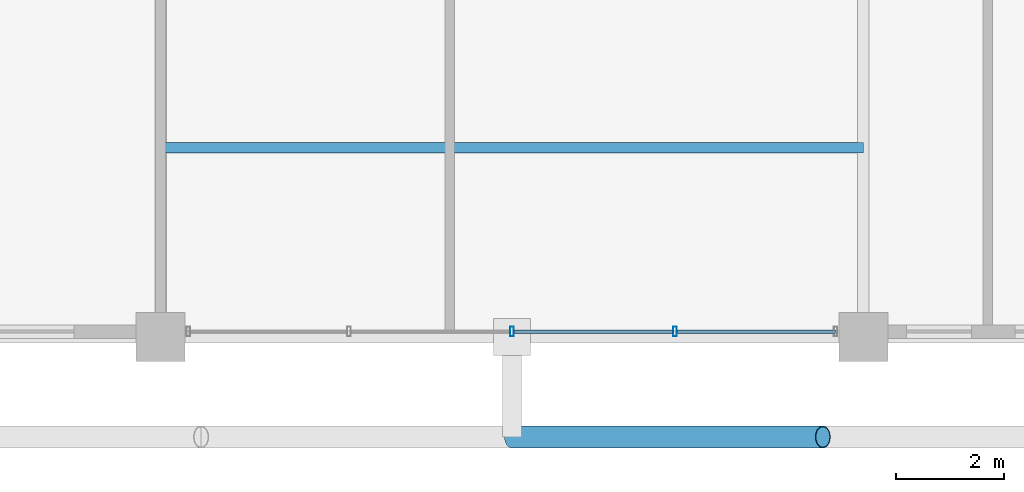
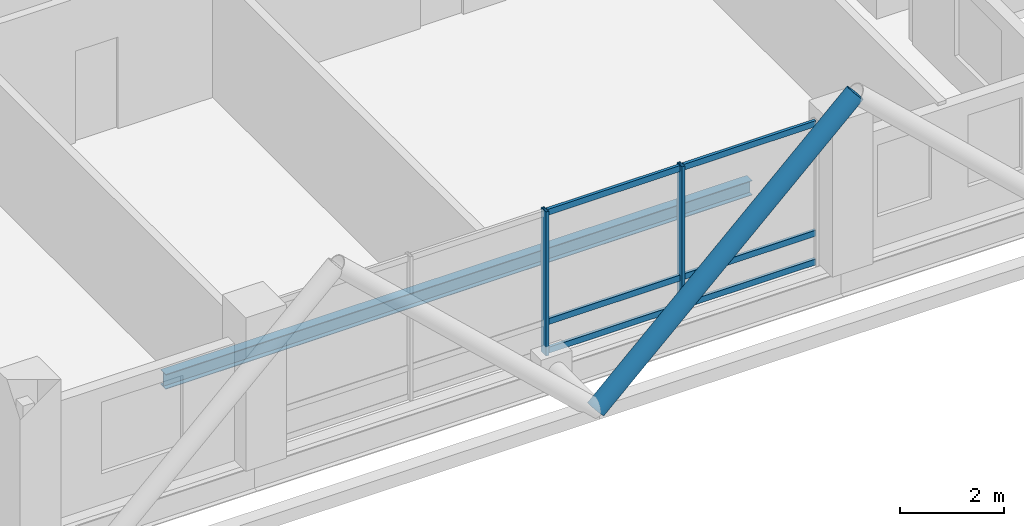
# One storey, part 5 of 24: 9 members, 1 beam, 1 element without a shape of its own.
"""IFC4 building model written with IfcOpenShell, lengths in metres."""

from ifc_helpers import new_model, si_unit, direction, frame, origin, origin_2d, place, context, subcontext, project, spatial, hollow_rectangle, hollow_circle, i_section, extrude, material, layer, layer_set, material_profile, profile_set, type_object, element, aggregate, save


model = new_model("IFC4")

# Units and contexts
model_context = context("Model", 3, precision=1e-05, world=origin(), true_north=direction((0.0, 1.0)))
body_context = subcontext(model_context, "Body", "Model", "MODEL_VIEW")
ifc_project = project(units=[si_unit("LENGTHUNIT", "METRE"), si_unit("AREAUNIT", "SQUARE_METRE"), si_unit("VOLUMEUNIT", "CUBIC_METRE"), si_unit("PLANEANGLEUNIT", "RADIAN"), si_unit("MASSUNIT", "GRAM", prefix="KILO")], contexts=[model_context])

# Site, building, storey
site_placement = place(None, origin())
site = spatial("IfcSite", under=ifc_project, at=site_placement, CompositionType="ELEMENT")
building_placement = place(site_placement, origin())
building = spatial("IfcBuilding", under=site, at=building_placement, Name="Barlavira Tower and Art Museum", CompositionType="ELEMENT")
storey_placement = place(building_placement, frame((0.0, 0.0, 294.300048828125)))
storey = spatial("IfcBuildingStorey", under=building, at=storey_placement, Name="L77", CompositionType="ELEMENT", Elevation=294.300048828125)

# Curtain wall, members
ifc_material_1 = material(Name="Low-iron coastal laminated glass", Category="glass")
ifc_layer = layer(ifc_material_1, 0.2099609375, Name="Low-iron coastal laminated glass")
ifc_layer_set = layer_set([ifc_layer], Name="Low-iron coastal laminated glass")
curtain_wall_type = type_object("IfcCurtainWallType", Name="Pale-Metal Unitised Curtain Wall Zone 4", PredefinedType="NOTDEFINED", material=ifc_layer_set)
curtain_wall_placement = place(storey_placement, origin())
curtain_wall = element("IfcCurtainWall", 1, at=curtain_wall_placement, inside=storey, type_object=curtain_wall_type, Name="L77 Curtain Wall CW4-L77-S-B2", PredefinedType="NOTDEFINED")
ifc_material_2 = material(Name="Pale anodised aluminium", Category="aluminium")
ifc_material_profile_1 = material_profile(ifc_material_2, hollow_rectangle(XDim=0.06494140625, YDim=0.179931640625, WallThickness=0.00390625, at=origin_2d()), Name="ALU-MULL 65x180x4")
ifc_profile_set_1 = profile_set([ifc_material_profile_1], Name="Pale anodised aluminium")
member_type_1 = type_object("IfcMemberType", Name="Curtain Wall Pale-Metal Mullion 65x180", PredefinedType="MULLION", material=ifc_profile_set_1)
member_1_placement = place(storey_placement, frame((0.0, -19.89990234375, 0.0), z_axis=(0.0, 0.0, 1.0), x_axis=(1.0, 0.0, 0.0)))
member_1 = element("IfcMember", 2, at=member_1_placement, type_object=member_type_1, Name="CW4-L77-S-B2 Mullion 2", PredefinedType="MULLION", context=body_context, shape_type="SweptSolid", body=[
    extrude(hollow_rectangle(XDim=0.06494140625, YDim=0.179931640625, WallThickness=0.00390625, at=origin_2d()), origin(), (0.0, 0.0, 1.0), 3.3798828125),
])
member_2_placement = place(storey_placement, frame((3.014892578125, -19.89990234375, 0.0), z_axis=(0.0, 0.0, 1.0), x_axis=(1.0, 0.0, 0.0)))
member_2 = element("IfcMember", 3, at=member_2_placement, type_object=member_type_1, Name="CW4-L77-S-B2 Mullion 3", PredefinedType="MULLION", context=body_context, shape_type="SweptSolid", body=[
    extrude(hollow_rectangle(XDim=0.06494140625, YDim=0.179931640625, WallThickness=0.00390625, at=origin_2d()), origin(), (0.0, 0.0, 1.0), 3.3798828125),
])
ifc_material_profile_2 = material_profile(ifc_material_2, hollow_rectangle(XDim=0.06494140625, YDim=0.139892578125, WallThickness=0.00390625, at=origin_2d()), Name="ALU-TRAN 65x140x4")
ifc_profile_set_2 = profile_set([ifc_material_profile_2], Name="Pale anodised aluminium")
member_type_2 = type_object("IfcMemberType", Name="Curtain Wall Pale-Metal Transom 65x140", PredefinedType="USERDEFINED", material=ifc_profile_set_2)
member_3_placement = place(storey_placement, frame((0.044921875, -19.89990234375, 0.070068359375), z_axis=(1.0, 0.0, 0.0), x_axis=(0.0, 1.0, 0.0)))
member_3 = element("IfcMember", 4, at=member_3_placement, type_object=member_type_2, Name="CW4-L77-S-B2 Transom 2.1", ObjectType="TRANSOM", PredefinedType="USERDEFINED", context=body_context, shape_type="SweptSolid", body=[
    extrude(hollow_rectangle(XDim=0.06494140625, YDim=0.139892578125, WallThickness=0.00390625, at=origin_2d()), origin(), (0.0, 0.0, 1.0), 2.925048828125),
])
member_4_placement = place(storey_placement, frame((0.044921875, -19.89990234375, 0.743896484375), z_axis=(1.0, 0.0, 0.0), x_axis=(0.0, 1.0, 0.0)))
member_4 = element("IfcMember", 5, at=member_4_placement, type_object=member_type_2, Name="CW4-L77-S-B2 Transom 2.2", ObjectType="TRANSOM", PredefinedType="USERDEFINED", context=body_context, shape_type="SweptSolid", body=[
    extrude(hollow_rectangle(XDim=0.06494140625, YDim=0.139892578125, WallThickness=0.00390625, at=origin_2d()), origin(), (0.0, 0.0, 1.0), 2.925048828125),
])
member_5_placement = place(storey_placement, frame((0.044921875, -19.89990234375, 3.31005859375), z_axis=(1.0, 0.0, 0.0), x_axis=(0.0, 1.0, 0.0)))
member_5 = element("IfcMember", 6, at=member_5_placement, type_object=member_type_2, Name="CW4-L77-S-B2 Transom 2.3", ObjectType="TRANSOM", PredefinedType="USERDEFINED", context=body_context, shape_type="SweptSolid", body=[
    extrude(hollow_rectangle(XDim=0.06494140625, YDim=0.139892578125, WallThickness=0.00390625, at=origin_2d()), origin(), (0.0, 0.0, 1.0), 2.925048828125),
])
member_6_placement = place(storey_placement, frame((3.06005859375, -19.89990234375, 0.070068359375), z_axis=(1.0, 0.0, 0.0), x_axis=(0.0, 1.0, 0.0)))
member_6 = element("IfcMember", 7, at=member_6_placement, type_object=member_type_2, Name="CW4-L77-S-B2 Transom 3.1", ObjectType="TRANSOM", PredefinedType="USERDEFINED", context=body_context, shape_type="SweptSolid", body=[
    extrude(hollow_rectangle(XDim=0.06494140625, YDim=0.139892578125, WallThickness=0.00390625, at=origin_2d()), origin(), (0.0, 0.0, 1.0), 2.925048828125),
])
member_7_placement = place(storey_placement, frame((3.06005859375, -19.89990234375, 0.743896484375), z_axis=(1.0, 0.0, 0.0), x_axis=(0.0, 1.0, 0.0)))
member_7 = element("IfcMember", 8, at=member_7_placement, type_object=member_type_2, Name="CW4-L77-S-B2 Transom 3.2", ObjectType="TRANSOM", PredefinedType="USERDEFINED", context=body_context, shape_type="SweptSolid", body=[
    extrude(hollow_rectangle(XDim=0.06494140625, YDim=0.139892578125, WallThickness=0.00390625, at=origin_2d()), origin(), (0.0, 0.0, 1.0), 2.925048828125),
])
member_8_placement = place(storey_placement, frame((3.06005859375, -19.89990234375, 3.31005859375), z_axis=(1.0, 0.0, 0.0), x_axis=(0.0, 1.0, 0.0)))
member_8 = element("IfcMember", 9, at=member_8_placement, type_object=member_type_2, Name="CW4-L77-S-B2 Transom 3.3", ObjectType="TRANSOM", PredefinedType="USERDEFINED", context=body_context, shape_type="SweptSolid", body=[
    extrude(hollow_rectangle(XDim=0.06494140625, YDim=0.139892578125, WallThickness=0.00390625, at=origin_2d()), origin(), (0.0, 0.0, 1.0), 2.925048828125),
])
aggregate(curtain_wall, [member_1, member_2, member_3, member_4, member_5, member_6, member_7, member_8])

# Member
ifc_material_3 = material(Name="Steel S355", Category="steel")
ifc_material_profile_3 = material_profile(ifc_material_3, hollow_circle(Radius=0.203125, WallThickness=0.01611328125, at=origin_2d()), Name="CHS 406.4x16.0")
ifc_profile_set_3 = profile_set([ifc_material_profile_3], Name="Steel S355")
member_type_3 = type_object("IfcMemberType", Name="Pale-Metal Exoskeleton Diagrid Tube CHS 406x16 Steel S355", PredefinedType="BRACE", material=ifc_profile_set_3)
member_9_placement = place(storey_placement, frame((0.0, -21.85009765625, -0.1201171875), z_axis=(0.728934650808, 0.0, 0.684583285548), x_axis=(0.0, 1.0, 0.0)))
element("IfcMember", 10, at=member_9_placement, inside=storey, type_object=member_type_3, Name="L77 Exoskeleton Diagrid Tube S", PredefinedType="BRACE", context=body_context, shape_type="SweptSolid", body=[
    extrude(hollow_circle(Radius=0.203125, WallThickness=0.01611328125, at=origin_2d()), origin(), (0.0, 0.0, 1.0), 7.88818359375),
])

# Beam
ifc_material_profile_4 = material_profile(ifc_material_3, i_section(OverallWidth=0.202880859375, OverallDepth=0.346923828125, WebThickness=0.0078125, FlangeThickness=0.013427734375, at=origin_2d()), Name="W360x64.0")
ifc_profile_set_4 = profile_set([ifc_material_profile_4], Name="Steel S355")
beam_type = type_object("IfcBeamType", Name="Zone 4 Composite Floor Joist W360x64 Steel S355", PredefinedType="JOIST", material=ifc_profile_set_4)
beam_placement = place(storey_placement, frame((-6.5, -16.5, -0.3935546875), z_axis=(1.0, 0.0, 0.0), x_axis=(0.0, 1.0, 0.0)))
element("IfcBeam", 11, at=beam_placement, inside=storey, type_object=beam_type, Name="L77 Joist C1", PredefinedType="JOIST", context=body_context, shape_type="SweptSolid", body=[
    extrude(i_section(OverallWidth=0.202880859375, OverallDepth=0.346923828125, WebThickness=0.0078125, FlangeThickness=0.013427734375, at=origin_2d()), origin(), (0.0, 0.0, 1.0), 13.0),
])

save(model, "model.ifc")
